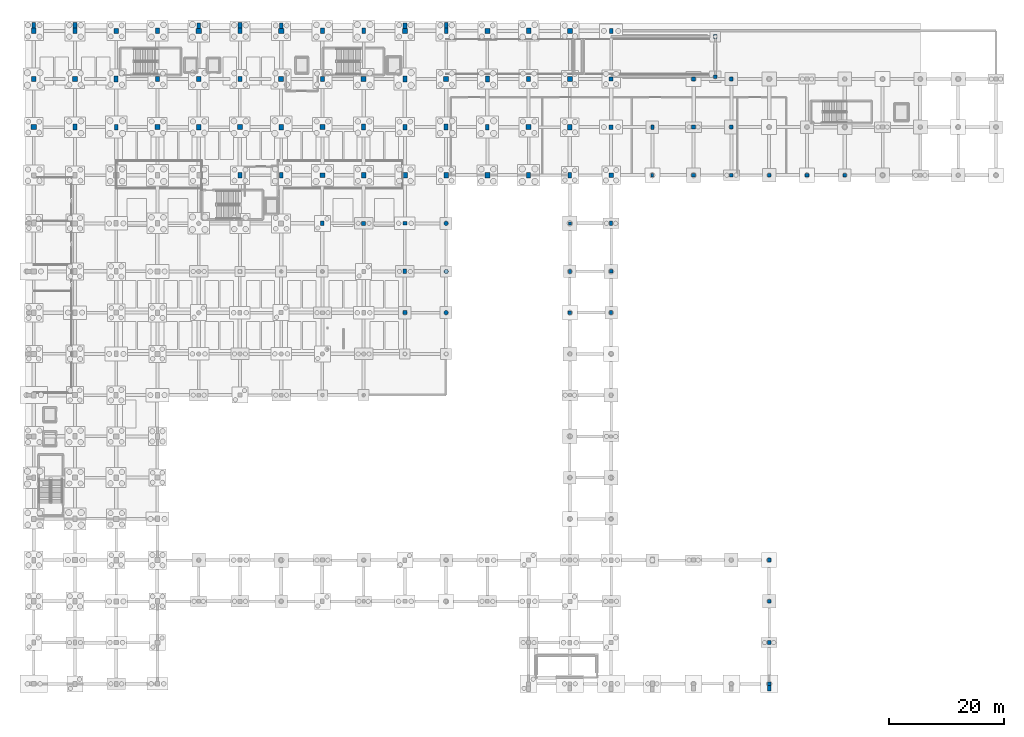
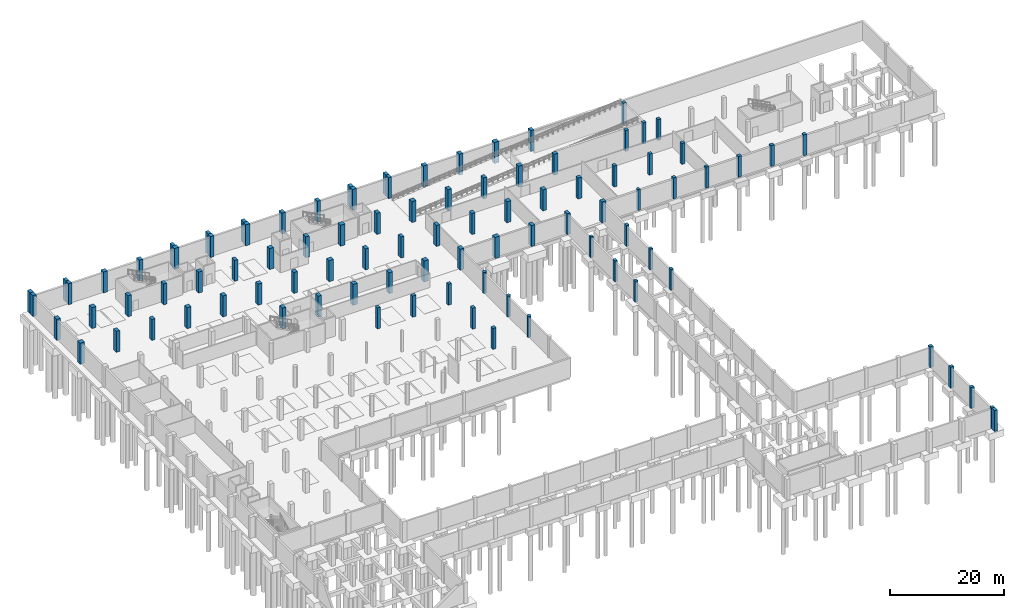
# One storey, part 18 of 35: 94 columns.
"""IFC4 building model written with IfcOpenShell, lengths in metres."""

import ifcopenshell
import ifcopenshell.guid

model = None  # the IFC model being written
_history = None  # IfcOwnerHistory: only IFC2X3 demands one
_inside = {}  # id of a spatial element -> (the spatial element, [elements in it])
_under = {}  # id of a project, library or spatial element -> (it, [spatial elements below it])
_declared = {}  # id of a project -> (the project, [libraries it declares])
_typed = {}  # id of a type object -> (the type object, [elements of that type])
_made_of = {}  # id of a material, layer set ... -> (it, [elements and type objects made of it])


def new_model(schema):
    """Start an empty IFC model of exactly this schema.

    Asked for "IFC4X3", IfcOpenShell would pick the latest addendum, in which some entities
    have other attributes; the version numbers below select the first issue.
    IFC2X3 requires an IfcOwnerHistory on every rooted entity: one is made here for all.
    """
    global model, _history
    if schema == "IFC4X3":
        model = ifcopenshell.file(schema_version=(4, 3, 0, 0))
    else:
        model = ifcopenshell.file(schema=schema)
    _inside.clear()
    _under.clear()
    _declared.clear()
    _typed.clear()
    _made_of.clear()
    _history = None
    if model.schema == "IFC2X3":
        org = make("IfcOrganization", Name="unknown")
        user = make(
            "IfcPersonAndOrganization",
            ThePerson=make("IfcPerson", FamilyName="unknown"),
            TheOrganization=org,
        )
        app = make(
            "IfcApplication",
            ApplicationDeveloper=org,
            Version="unknown",
            ApplicationFullName="unknown",
            ApplicationIdentifier="unknown",
        )
        _history = make(
            "IfcOwnerHistory",
            OwningUser=user,
            OwningApplication=app,
            ChangeAction="ADDED",
            CreationDate=0,
        )
    return model


def make(cls, **values):
    """One entity of the class cls with the attributes given. An attribute that is None is left unset."""
    return model.create_entity(
        cls, **{name: value for name, value in values.items() if value is not None}
    )


def rooted(cls, **values):
    """An entity with a GlobalId (a new one), such as an element, a storey or a relation."""
    return make(cls, GlobalId=ifcopenshell.guid.new(), OwnerHistory=_history, **values)


def si_unit(unit_type, name, prefix=None):
    """IfcSIUnit, for example si_unit("LENGTHUNIT", "METRE", prefix="MILLI")."""
    return make("IfcSIUnit", UnitType=unit_type, Prefix=prefix, Name=name)


def assignment(units):
    """IfcUnitAssignment: the units of a project."""
    return None if units is None else make("IfcUnitAssignment", Units=units)


def point(xyz):
    """IfcCartesianPoint."""
    return None if xyz is None else make("IfcCartesianPoint", Coordinates=xyz)


def direction(xyz):
    """IfcDirection."""
    return None if xyz is None else make("IfcDirection", DirectionRatios=xyz)


def frame(location, z_axis=None, x_axis=None):
    """IfcAxis2Placement3D, a coordinate frame: its origin and axes. An axis left out is left unset."""
    return make(
        "IfcAxis2Placement3D",
        Location=point(location),
        Axis=direction(z_axis),
        RefDirection=direction(x_axis),
    )


def frame_2d(location, x_axis=None):
    """IfcAxis2Placement2D, a coordinate frame in the plane: its origin and x axis."""
    return make(
        "IfcAxis2Placement2D", Location=point(location), RefDirection=direction(x_axis)
    )


def origin():
    """The frame at (0, 0, 0) with its axes left unset."""
    return frame((0.0, 0.0, 0.0))


def origin_2d():
    """The frame at (0, 0) in the plane with its x axis left unset."""
    return frame_2d((0.0, 0.0))


def place(relative_to, where):
    """IfcLocalPlacement: puts the frame where relative to a parent placement (None: the world)."""
    return make(
        "IfcLocalPlacement", PlacementRelTo=relative_to, RelativePlacement=where
    )


def context(
    kind, dimensions, precision=None, world=None, true_north=None, identifier=None
):
    """IfcGeometricRepresentationContext, for example the 3D "Model" context."""
    return make(
        "IfcGeometricRepresentationContext",
        ContextIdentifier=identifier,
        ContextType=kind,
        CoordinateSpaceDimension=dimensions,
        Precision=precision,
        WorldCoordinateSystem=world,
        TrueNorth=true_north,
    )


def subcontext(parent, identifier, kind, view, scale=None):
    """IfcGeometricRepresentationSubContext, for example "Body" below "Model"."""
    return make(
        "IfcGeometricRepresentationSubContext",
        ContextIdentifier=identifier,
        ContextType=kind,
        ParentContext=parent,
        TargetScale=scale,
        TargetView=view,
    )


def project(units=None, contexts=None):
    """IfcProject with its units and contexts."""
    return rooted(
        "IfcProject",
        Name="project",
        RepresentationContexts=contexts,
        UnitsInContext=assignment(units),
    )


def spatial(cls, under=None, at=None, **own):
    """A site, building, storey or space (cls), placed at a placement, below another one or the project."""
    s = rooted(cls, ObjectPlacement=at, **own)
    if under is not None:
        _under.setdefault(under.id(), (under, []))[1].append(s)
    return s


def profile(cls, at=None, kind="AREA", **sizes):
    """A parametric profile (cls). Its sizes go by their IFC names, for example OverallWidth=200.0."""
    return make(cls, ProfileType=kind, Position=at, **sizes)


def rectangle(**sizes):
    """IfcRectangleProfileDef."""
    return profile("IfcRectangleProfileDef", **sizes)


def circle(**sizes):
    """IfcCircleProfileDef."""
    return profile("IfcCircleProfileDef", **sizes)


def extrude(swept, where, along, depth):
    """IfcExtrudedAreaSolid: the profile swept, set in the frame where, extruded along a direction by depth."""
    return make(
        "IfcExtrudedAreaSolid",
        SweptArea=swept,
        Position=where,
        ExtrudedDirection=direction(along),
        Depth=depth,
    )


def shape(context_of_items, identifier, shape_type, items):
    """IfcShapeRepresentation: the items that make up one representation, for example the "Body"."""
    return make(
        "IfcShapeRepresentation",
        ContextOfItems=context_of_items,
        RepresentationIdentifier=identifier,
        RepresentationType=shape_type,
        Items=items,
    )


def material(Name=None, Category=None):
    """IfcMaterial."""
    return make("IfcMaterial", Name=Name, Category=Category)


def material_profile(
    of_material, cross_section, Name=None, Category=None, Priority=None
):
    """IfcMaterialProfile: a cross section and its material."""
    return make(
        "IfcMaterialProfile",
        Name=Name,
        Material=of_material,
        Profile=cross_section,
        Priority=Priority,
        Category=Category,
    )


def profile_set(profiles, Name=None, composite=None):
    """IfcMaterialProfileSet."""
    return make(
        "IfcMaterialProfileSet",
        Name=Name,
        MaterialProfiles=profiles,
        CompositeProfile=composite,
    )


def made_of(thing, what):
    """Note that an element or type object is made of a material, layer set ...; save() writes the relation."""
    if what is not None:
        _made_of.setdefault(what.id(), (what, []))[1].append(thing)
    return thing


def type_object(cls, material=None, **own):
    """A type object (cls), such as IfcWallType, which elements share."""
    return made_of(rooted(cls, **own), material)


def element(
    cls,
    number,
    at=None,
    inside=None,
    cuts=None,
    type_object=None,
    material=None,
    context=None,
    identifier="Body",
    shape_type=None,
    held_by="IfcProductDefinitionShape",
    body=None,
    shapes=None,
    **own,
):
    """One element of the class cls, such as IfcWall. Its Tag is "e" and its number.

    at: its placement. inside: the storey or other place that contains it. cuts: it is an
    opening in that element (IfcRelVoidsElement). A single representation is given by context,
    identifier, shape_type and body (its items); several are given by shapes. held_by: the class
    of the entity that holds the representations. save() writes the other relations.
    """
    e = rooted(cls, Tag="e%d" % number, ObjectPlacement=at, **own)
    if body is not None:
        shapes = [shape(context, identifier, shape_type, body)]
    if shapes is not None:
        e.Representation = make(held_by, Representations=shapes)
    if inside is not None:
        _inside.setdefault(inside.id(), (inside, []))[1].append(e)
    if cuts is not None:
        rooted(
            "IfcRelVoidsElement", RelatingBuildingElement=cuts, RelatedOpeningElement=e
        )
    if type_object is not None:
        _typed.setdefault(type_object.id(), (type_object, []))[1].append(e)
    return made_of(e, material)


def aggregate(whole, parts):
    """IfcRelAggregates: a whole, such as a stair, and the parts it consists of."""
    return rooted("IfcRelAggregates", RelatingObject=whole, RelatedObjects=parts)


def save(model, path):
    """Write the relations noted so far, then the file.

    IfcRelAggregates (storeys below a building ...), IfcRelContainedInSpatialStructure (elements
    in a storey), IfcRelDefinesByType, IfcRelAssociatesMaterial and IfcRelDeclares: one each for
    every whole, place, type object, material and project.
    """
    for whole, parts in _under.values():
        aggregate(whole, parts)
    for where, things in _inside.values():
        rooted(
            "IfcRelContainedInSpatialStructure",
            RelatedElements=things,
            RelatingStructure=where,
        )
    for kind, things in _typed.values():
        rooted("IfcRelDefinesByType", RelatedObjects=things, RelatingType=kind)
    for what, things in _made_of.values():
        rooted("IfcRelAssociatesMaterial", RelatedObjects=things, RelatingMaterial=what)
    for by, libraries in _declared.values():
        rooted("IfcRelDeclares", RelatingContext=by, RelatedDefinitions=libraries)
    model.write(path)


model = new_model("IFC4")

# Units and contexts
model_context = context("Model", 3, precision=1e-05, world=origin(), true_north=direction((0.0, 1.0)))
body_context = subcontext(model_context, "Body", "Model", "MODEL_VIEW")
ifc_project = project(units=[si_unit("LENGTHUNIT", "METRE"), si_unit("AREAUNIT", "SQUARE_METRE"), si_unit("VOLUMEUNIT", "CUBIC_METRE"), si_unit("PLANEANGLEUNIT", "RADIAN"), si_unit("MASSUNIT", "GRAM", prefix="KILO")], contexts=[model_context])

# Site, building, storey
site_placement = place(None, origin())
site = spatial("IfcSite", under=ifc_project, at=site_placement, CompositionType="ELEMENT")
building_placement = place(site_placement, origin())
building = spatial("IfcBuilding", under=site, at=building_placement, Name="Kalluvel Institute of Natural Sciences", CompositionType="ELEMENT")
storey_placement = place(building_placement, frame((0.0, 0.0, -4.5)))
storey = spatial("IfcBuildingStorey", under=building, at=storey_placement, Name="B1", CompositionType="ELEMENT", Elevation=-4.5)

# Columns
ifc_material_1 = material(Name="Concrete M40", Category="concrete")
ifc_material_profile_1 = material_profile(ifc_material_1, rectangle(XDim=0.449951171875, YDim=0.60009765625, at=origin_2d()), Name="RC 450x600")
ifc_profile_set_1 = profile_set([ifc_material_profile_1], Name="Concrete M40")
column_type_1 = type_object("IfcColumnType", Name="COL-RC450x600", PredefinedType="COLUMN", material=ifc_profile_set_1)
column_1_placement = place(storey_placement, frame((122.0, 102.800048828125, 0.0), z_axis=(0.0, 0.0, 1.0), x_axis=(1.0, 0.0, 0.0)))
element("IfcColumn", 1, at=column_1_placement, inside=storey, type_object=column_type_1, Name="B1 structural column COL-B1-X1220-Y1028", PredefinedType="COLUMN", context=body_context, shape_type="SweptSolid", body=[
    extrude(rectangle(XDim=0.449951171875, YDim=0.60009765625, at=origin_2d()), origin(), (0.0, 0.0, 1.0), 4.5),
])
ifc_material_profile_2 = material_profile(ifc_material_1, rectangle(XDim=0.5, YDim=0.699951171875, at=origin_2d()), Name="RC 500x700")
ifc_profile_set_2 = profile_set([ifc_material_profile_2], Name="Concrete M40")
column_type_2 = type_object("IfcColumnType", Name="COL-RC500x700", PredefinedType="COLUMN", material=ifc_profile_set_2)
column_2_placement = place(storey_placement, frame((114.800048828125, 78.800048828125, 0.0), z_axis=(0.0, 0.0, 1.0), x_axis=(1.0, 0.0, 0.0)))
element("IfcColumn", 2, at=column_2_placement, inside=storey, type_object=column_type_2, Name="B1 structural column COL-B1-X1148-Y788", PredefinedType="COLUMN", context=body_context, shape_type="SweptSolid", body=[
    extrude(rectangle(XDim=0.5, YDim=0.699951171875, at=origin_2d()), origin(), (0.0, 0.0, 1.0), 4.5),
])
ifc_material_profile_3 = material_profile(ifc_material_1, rectangle(XDim=0.550048828125, YDim=0.550048828125, at=origin_2d()), Name="RC 550x550")
ifc_profile_set_3 = profile_set([ifc_material_profile_3], Name="Concrete M40")
column_type_3 = type_object("IfcColumnType", Name="COL-RC550", PredefinedType="COLUMN", material=ifc_profile_set_3)
column_3_placement = place(storey_placement, frame((107.60009765625, 94.39990234375, 0.0), z_axis=(0.0, 0.0, 1.0), x_axis=(1.0, 0.0, 0.0)))
element("IfcColumn", 3, at=column_3_placement, inside=storey, type_object=column_type_3, Name="B1 structural column COL-B1-X1076-Y944", PredefinedType="COLUMN", context=body_context, shape_type="SweptSolid", body=[
    extrude(rectangle(XDim=0.550048828125, YDim=0.550048828125, at=origin_2d()), origin(), (0.0, 0.0, 1.0), 4.5),
])
ifc_material_profile_4 = material_profile(ifc_material_1, rectangle(XDim=0.550048828125, YDim=0.75, at=origin_2d()), Name="RC 550x750")
ifc_profile_set_4 = profile_set([ifc_material_profile_4], Name="Concrete M40")
column_type_4 = type_object("IfcColumnType", Name="COL-RC550x750", PredefinedType="COLUMN", material=ifc_profile_set_4)
for number, where, z_axis, x_axis, name in (
    (4, (107.60009765625, 86.0, 0.0), (0.0, 0.0, 1.0), (1.0, 0.0, 0.0), "B1 structural column COL-B1-X1076-Y860"),
    (5, (114.800048828125, 94.39990234375, 0.0), (0.0, 0.0, 1.0), (1.0, 0.0, 0.0), "B1 structural column COL-B1-X1148-Y944"),
    (6, (122.0, 111.199951171875, 0.0), (0.0, 0.0, 1.0), (1.0, 0.0, 0.0), "B1 structural column COL-B1-X1220-Y1112"),
):
    element("IfcColumn", number, at=place(storey_placement, frame(where, z_axis=z_axis, x_axis=x_axis)), inside=storey, type_object=column_type_4, Name=name, PredefinedType="COLUMN", context=body_context, shape_type="SweptSolid", body=[
        extrude(rectangle(XDim=0.550048828125, YDim=0.75, at=origin_2d()), origin(), (0.0, 0.0, 1.0), 4.5),
    ])
ifc_material_profile_5 = material_profile(ifc_material_1, rectangle(XDim=0.60009765625, YDim=0.60009765625, at=origin_2d()), Name="RC 600x600")
ifc_profile_set_5 = profile_set([ifc_material_profile_5], Name="Concrete M40")
column_type_5 = type_object("IfcColumnType", Name="COL-RC600", PredefinedType="COLUMN", material=ifc_profile_set_5)
for number, where, z_axis, x_axis, name in (
    (7, (107.60009765625, 78.800048828125, 0.0), (0.0, 0.0, 1.0), (1.0, 0.0, 0.0), "B1 structural column COL-B1-X1076-Y788"),
    (8, (114.800048828125, 86.0, 0.0), (0.0, 0.0, 1.0), (1.0, 0.0, 0.0), "B1 structural column COL-B1-X1148-Y860"),
):
    element("IfcColumn", number, at=place(storey_placement, frame(where, z_axis=z_axis, x_axis=x_axis)), inside=storey, type_object=column_type_5, Name=name, PredefinedType="COLUMN", context=body_context, shape_type="SweptSolid", body=[
        extrude(rectangle(XDim=0.60009765625, YDim=0.60009765625, at=origin_2d()), origin(), (0.0, 0.0, 1.0), 4.5),
    ])
ifc_material_2 = material(Name="Concrete M50", Category="concrete")
ifc_material_profile_6 = material_profile(ifc_material_2, rectangle(XDim=0.60009765625, YDim=0.800048828125, at=origin_2d()), Name="RC 600x800")
ifc_profile_set_6 = profile_set([ifc_material_profile_6], Name="Concrete M50")
column_type_6 = type_object("IfcColumnType", Name="COL-RC600x800", PredefinedType="COLUMN", material=ifc_profile_set_6)
for number, where, z_axis, x_axis, name in (
    (9, (64.39990234375, 94.39990234375, 0.0), (0.0, 0.0, 1.0), (1.0, 0.0, 0.0), "B1 structural column COL-B1-X644-Y944"),
    (10, (78.800048828125, 86.0, 0.0), (0.0, 0.0, 1.0), (1.0, 0.0, 0.0), "B1 structural column COL-B1-X788-Y860"),
):
    element("IfcColumn", number, at=place(storey_placement, frame(where, z_axis=z_axis, x_axis=x_axis)), inside=storey, type_object=column_type_6, Name=name, PredefinedType="COLUMN", context=body_context, shape_type="SweptSolid", body=[
        extrude(rectangle(XDim=0.60009765625, YDim=0.800048828125, at=origin_2d()), origin(), (0.0, 0.0, 1.0), 4.5),
    ])
ifc_material_profile_7 = material_profile(ifc_material_2, rectangle(XDim=0.60009765625, YDim=0.89990234375, at=origin_2d()), Name="RC 600x900")
ifc_profile_set_7 = profile_set([ifc_material_profile_7], Name="Concrete M50")
column_type_7 = type_object("IfcColumnType", Name="COL-RC600x900", PredefinedType="COLUMN", material=ifc_profile_set_7)
column_4_placement = place(storey_placement, frame((114.800048828125, 128.0, 0.0), z_axis=(0.0, 0.0, 1.0), x_axis=(1.0, 0.0, 0.0)))
element("IfcColumn", 11, at=column_4_placement, inside=storey, type_object=column_type_7, Name="B1 structural column COL-B1-X1148-Y1280", PredefinedType="COLUMN", context=body_context, shape_type="SweptSolid", body=[
    extrude(rectangle(XDim=0.60009765625, YDim=0.89990234375, at=origin_2d()), origin(), (0.0, 0.0, 1.0), 4.5),
])
ifc_material_profile_8 = material_profile(ifc_material_1, rectangle(XDim=0.64990234375, YDim=0.64990234375, at=origin_2d()), Name="RC 650x650")
ifc_profile_set_8 = profile_set([ifc_material_profile_8], Name="Concrete M40")
column_type_8 = type_object("IfcColumnType", Name="COL-RC650", PredefinedType="COLUMN", material=ifc_profile_set_8)
for number, where, z_axis, x_axis, name in (
    (12, (78.800048828125, 94.39990234375, 0.0), (0.0, 0.0, 1.0), (1.0, 0.0, 0.0), "B1 structural column COL-B1-X788-Y944"),
    (13, (129.199951171875, 102.800048828125, 0.0), (0.0, 0.0, 1.0), (1.0, 0.0, 0.0), "B1 structural column COL-B1-X1292-Y1028"),
    (14, (129.199951171875, 111.199951171875, 0.0), (0.0, 0.0, 1.0), (1.0, 0.0, 0.0), "B1 structural column COL-B1-X1292-Y1112"),
    (15, (129.199951171875, 119.60009765625, 0.0), (0.0, 0.0, 1.0), (1.0, 0.0, 0.0), "B1 structural column COL-B1-X1292-Y1196"),
    (16, (133.0, 120.0, 0.0), (0.0, 0.0, 1.0), (1.0, 0.0, 0.0), "B1 structural column COL-B1-X1330-Y1200"),
    (17, (133.0, 127.0, 0.0), (0.0, 0.0, 1.0), (1.0, 0.0, 0.0), "B1 structural column COL-B1-X1330-Y1270"),
    (18, (135.800048828125, 102.800048828125, 0.0), (0.0, 0.0, 1.0), (1.0, 0.0, 0.0), "B1 structural column COL-B1-X1358-Y1028"),
    (19, (135.800048828125, 111.199951171875, 0.0), (0.0, 0.0, 1.0), (1.0, 0.0, 0.0), "B1 structural column COL-B1-X1358-Y1112"),
    (20, (135.800048828125, 119.60009765625, 0.0), (0.0, 0.0, 1.0), (1.0, 0.0, 0.0), "B1 structural column COL-B1-X1358-Y1196"),
    (21, (142.39990234375, 14.0, 0.0), (0.0, 0.0, 1.0), (1.0, 0.0, 0.0), "B1 structural column COL-B1-X1424-Y140"),
    (22, (142.39990234375, 21.199951171875, 0.0), (0.0, 0.0, 1.0), (1.0, 0.0, 0.0), "B1 structural column COL-B1-X1424-Y212"),
    (23, (142.39990234375, 28.39990234375, 0.0), (0.0, 0.0, 1.0), (1.0, 0.0, 0.0), "B1 structural column COL-B1-X1424-Y284"),
    (24, (142.39990234375, 35.60009765625, 0.0), (0.0, 0.0, 1.0), (1.0, 0.0, 0.0), "B1 structural column COL-B1-X1424-Y356"),
    (25, (142.39990234375, 102.800048828125, 0.0), (0.0, 0.0, 1.0), (1.0, 0.0, 0.0), "B1 structural column COL-B1-X1424-Y1028"),
    (26, (149.0, 102.800048828125, 0.0), (0.0, 0.0, 1.0), (1.0, 0.0, 0.0), "B1 structural column COL-B1-X1490-Y1028"),
    (27, (155.60009765625, 102.800048828125, 0.0), (0.0, 0.0, 1.0), (1.0, 0.0, 0.0), "B1 structural column COL-B1-X1556-Y1028"),
):
    element("IfcColumn", number, at=place(storey_placement, frame(where, z_axis=z_axis, x_axis=x_axis)), inside=storey, type_object=column_type_8, Name=name, PredefinedType="COLUMN", context=body_context, shape_type="SweptSolid", body=[
        extrude(rectangle(XDim=0.64990234375, YDim=0.64990234375, at=origin_2d()), origin(), (0.0, 0.0, 1.0), 4.5),
    ])
ifc_material_profile_9 = material_profile(ifc_material_2, rectangle(XDim=0.64990234375, YDim=0.949951171875, at=origin_2d()), Name="RC 650x950")
ifc_profile_set_9 = profile_set([ifc_material_profile_9], Name="Concrete M50")
column_type_9 = type_object("IfcColumnType", Name="COL-RC650x950", PredefinedType="COLUMN", material=ifc_profile_set_9)
for number, where, z_axis, x_axis, name in (
    (28, (21.199951171875, 128.0, 0.0), (0.0, 0.0, 1.0), (1.0, 0.0, 0.0), "B1 structural column COL-B1-X212-Y1280"),
    (29, (28.39990234375, 111.199951171875, 0.0), (0.0, 0.0, 1.0), (1.0, 0.0, 0.0), "B1 structural column COL-B1-X284-Y1112"),
    (30, (35.60009765625, 119.60009765625, 0.0), (0.0, 0.0, 1.0), (1.0, 0.0, 0.0), "B1 structural column COL-B1-X356-Y1196"),
    (31, (50.0, 119.60009765625, 0.0), (0.0, 0.0, 1.0), (1.0, 0.0, 0.0), "B1 structural column COL-B1-X500-Y1196"),
    (32, (57.199951171875, 102.800048828125, 0.0), (0.0, 0.0, 1.0), (1.0, 0.0, 0.0), "B1 structural column COL-B1-X572-Y1028"),
    (33, (71.60009765625, 128.0, 0.0), (0.0, 0.0, 1.0), (1.0, 0.0, 0.0), "B1 structural column COL-B1-X716-Y1280"),
    (34, (78.800048828125, 111.199951171875, 0.0), (0.0, 0.0, 1.0), (1.0, 0.0, 0.0), "B1 structural column COL-B1-X788-Y1112"),
    (35, (86.0, 128.0, 0.0), (0.0, 0.0, 1.0), (1.0, 0.0, 0.0), "B1 structural column COL-B1-X860-Y1280"),
    (36, (93.199951171875, 111.199951171875, 0.0), (0.0, 0.0, 1.0), (1.0, 0.0, 0.0), "B1 structural column COL-B1-X932-Y1112"),
    (37, (100.39990234375, 119.60009765625, 0.0), (0.0, 0.0, 1.0), (1.0, 0.0, 0.0), "B1 structural column COL-B1-X1004-Y1196"),
    (38, (107.60009765625, 102.800048828125, 0.0), (0.0, 0.0, 1.0), (1.0, 0.0, 0.0), "B1 structural column COL-B1-X1076-Y1028"),
    (39, (14.0, 128.97802734375, 0.0), (0.0, 0.0, 1.0), (1.0, 0.0, 0.0), "B1 Gothic stepped Sadarahalli granite buttress 1"),
    (40, (21.199951171875, 128.952880859375, 0.0), (0.0, 0.0, 1.0), (1.0, 0.0, 0.0), "B1 Gothic stepped Sadarahalli granite buttress 11"),
    (41, (42.800048828125, 128.927978515625, 0.0), (0.0, 0.0, 1.0), (1.0, 0.0, 0.0), "B1 Gothic stepped Sadarahalli granite buttress 21"),
    (42, (50.0, 128.952880859375, 0.0), (0.0, 0.0, 1.0), (1.0, 0.0, 0.0), "B1 Gothic stepped Sadarahalli granite buttress 31"),
    (43, (57.199951171875, 128.927978515625, 0.0), (0.0, 0.0, 1.0), (1.0, 0.0, 0.0), "B1 Gothic stepped Sadarahalli granite buttress 41"),
    (44, (78.800048828125, 128.903076171875, 0.0), (0.0, 0.0, 1.0), (1.0, 0.0, 0.0), "B1 Gothic stepped Sadarahalli granite buttress 51"),
    (45, (86.0, 128.952880859375, 0.0), (0.0, 0.0, 1.0), (1.0, 0.0, 0.0), "B1 Gothic stepped Sadarahalli granite buttress 61"),
    (46, (142.39990234375, 13.197021484375, 0.0), (0.0, 0.0, 1.0), (1.0, 0.0, 0.0), "B1 Lecture and Commons Gothic stone buttress 157"),
):
    element("IfcColumn", number, at=place(storey_placement, frame(where, z_axis=z_axis, x_axis=x_axis)), inside=storey, type_object=column_type_9, Name=name, PredefinedType="COLUMN", context=body_context, shape_type="SweptSolid", body=[
        extrude(rectangle(XDim=0.64990234375, YDim=0.949951171875, at=origin_2d()), origin(), (0.0, 0.0, 1.0), 4.5),
    ])
ifc_material_profile_10 = material_profile(ifc_material_1, rectangle(XDim=0.699951171875, YDim=0.699951171875, at=origin_2d()), Name="RC 700x700")
ifc_profile_set_10 = profile_set([ifc_material_profile_10], Name="Concrete M40")
column_type_10 = type_object("IfcColumnType", Name="COL-RC700", PredefinedType="COLUMN", material=ifc_profile_set_10)
for number, where, z_axis, x_axis, name in (
    (47, (71.60009765625, 94.39990234375, 0.0), (0.0, 0.0, 1.0), (1.0, 0.0, 0.0), "B1 structural column COL-B1-X716-Y944"),
    (48, (78.800048828125, 78.800048828125, 0.0), (0.0, 0.0, 1.0), (1.0, 0.0, 0.0), "B1 structural column COL-B1-X788-Y788"),
):
    element("IfcColumn", number, at=place(storey_placement, frame(where, z_axis=z_axis, x_axis=x_axis)), inside=storey, type_object=column_type_10, Name=name, PredefinedType="COLUMN", context=body_context, shape_type="SweptSolid", body=[
        extrude(rectangle(XDim=0.699951171875, YDim=0.699951171875, at=origin_2d()), origin(), (0.0, 0.0, 1.0), 4.5),
    ])
ifc_material_profile_11 = material_profile(ifc_material_2, rectangle(XDim=0.699951171875, YDim=1.0, at=origin_2d()), Name="RC 700x1000")
ifc_profile_set_11 = profile_set([ifc_material_profile_11], Name="Concrete M50")
column_type_11 = type_object("IfcColumnType", Name="COL-RC700x1000", PredefinedType="COLUMN", material=ifc_profile_set_11)
for number, where, z_axis, x_axis, name in (
    (49, (14.0, 128.0, 0.0), (0.0, 0.0, 1.0), (1.0, 0.0, 0.0), "B1 structural column COL-B1-X140-Y1280"),
    (50, (21.199951171875, 111.199951171875, 0.0), (0.0, 0.0, 1.0), (1.0, 0.0, 0.0), "B1 structural column COL-B1-X212-Y1112"),
    (51, (28.39990234375, 119.60009765625, 0.0), (0.0, 0.0, 1.0), (1.0, 0.0, 0.0), "B1 structural column COL-B1-X284-Y1196"),
    (52, (50.0, 102.800048828125, 0.0), (0.0, 0.0, 1.0), (1.0, 0.0, 0.0), "B1 structural column COL-B1-X500-Y1028"),
    (53, (64.39990234375, 128.0, 0.0), (0.0, 0.0, 1.0), (1.0, 0.0, 0.0), "B1 structural column COL-B1-X644-Y1280"),
    (54, (71.60009765625, 111.199951171875, 0.0), (0.0, 0.0, 1.0), (1.0, 0.0, 0.0), "B1 structural column COL-B1-X716-Y1112"),
    (55, (78.800048828125, 119.60009765625, 0.0), (0.0, 0.0, 1.0), (1.0, 0.0, 0.0), "B1 structural column COL-B1-X788-Y1196"),
    (56, (86.0, 111.199951171875, 0.0), (0.0, 0.0, 1.0), (1.0, 0.0, 0.0), "B1 structural column COL-B1-X860-Y1112"),
    (57, (93.199951171875, 119.60009765625, 0.0), (0.0, 0.0, 1.0), (1.0, 0.0, 0.0), "B1 structural column COL-B1-X932-Y1196"),
    (58, (100.39990234375, 102.800048828125, 0.0), (0.0, 0.0, 1.0), (1.0, 0.0, 0.0), "B1 structural column COL-B1-X1004-Y1028"),
):
    element("IfcColumn", number, at=place(storey_placement, frame(where, z_axis=z_axis, x_axis=x_axis)), inside=storey, type_object=column_type_11, Name=name, PredefinedType="COLUMN", context=body_context, shape_type="SweptSolid", body=[
        extrude(rectangle(XDim=0.699951171875, YDim=1.0, at=origin_2d()), origin(), (0.0, 0.0, 1.0), 4.5),
    ])
ifc_material_profile_12 = material_profile(ifc_material_2, rectangle(XDim=0.75, YDim=0.75, at=origin_2d()), Name="RC 750x750")
ifc_profile_set_12 = profile_set([ifc_material_profile_12], Name="Concrete M50")
column_type_12 = type_object("IfcColumnType", Name="COL-RC750", PredefinedType="COLUMN", material=ifc_profile_set_12)
for number, where, z_axis, x_axis, name in (
    (59, (114.800048828125, 111.199951171875, 0.0), (0.0, 0.0, 1.0), (1.0, 0.0, 0.0), "B1 structural column COL-B1-X1148-Y1112"),
    (60, (114.800048828125, 119.60009765625, 0.0), (0.0, 0.0, 1.0), (1.0, 0.0, 0.0), "B1 structural column COL-B1-X1148-Y1196"),
):
    element("IfcColumn", number, at=place(storey_placement, frame(where, z_axis=z_axis, x_axis=x_axis)), inside=storey, type_object=column_type_12, Name=name, PredefinedType="COLUMN", context=body_context, shape_type="SweptSolid", body=[
        extrude(rectangle(XDim=0.75, YDim=0.75, at=origin_2d()), origin(), (0.0, 0.0, 1.0), 4.5),
    ])
ifc_material_profile_13 = material_profile(ifc_material_2, rectangle(XDim=0.75, YDim=0.949951171875, at=origin_2d()), Name="RC 750x950")
ifc_profile_set_13 = profile_set([ifc_material_profile_13], Name="Concrete M50")
column_type_13 = type_object("IfcColumnType", Name="COL-RC750x950", PredefinedType="COLUMN", material=ifc_profile_set_13)
for number, where, z_axis, x_axis, name in (
    (61, (14.0, 119.60009765625, 0.0), (0.0, 0.0, 1.0), (1.0, 0.0, 0.0), "B1 structural column COL-B1-X140-Y1196"),
    (62, (35.60009765625, 128.0, 0.0), (0.0, 0.0, 1.0), (1.0, 0.0, 0.0), "B1 structural column COL-B1-X356-Y1280"),
    (63, (42.800048828125, 111.199951171875, 0.0), (0.0, 0.0, 1.0), (1.0, 0.0, 0.0), "B1 structural column COL-B1-X428-Y1112"),
    (64, (50.0, 128.0, 0.0), (0.0, 0.0, 1.0), (1.0, 0.0, 0.0), "B1 structural column COL-B1-X500-Y1280"),
    (65, (57.199951171875, 111.199951171875, 0.0), (0.0, 0.0, 1.0), (1.0, 0.0, 0.0), "B1 structural column COL-B1-X572-Y1112"),
    (66, (64.39990234375, 119.60009765625, 0.0), (0.0, 0.0, 1.0), (1.0, 0.0, 0.0), "B1 structural column COL-B1-X644-Y1196"),
    (67, (71.60009765625, 102.800048828125, 0.0), (0.0, 0.0, 1.0), (1.0, 0.0, 0.0), "B1 structural column COL-B1-X716-Y1028"),
    (68, (86.0, 102.800048828125, 0.0), (0.0, 0.0, 1.0), (1.0, 0.0, 0.0), "B1 structural column COL-B1-X860-Y1028"),
    (69, (100.39990234375, 128.0, 0.0), (0.0, 0.0, 1.0), (1.0, 0.0, 0.0), "B1 structural column COL-B1-X1004-Y1280"),
    (70, (107.60009765625, 111.199951171875, 0.0), (0.0, 0.0, 1.0), (1.0, 0.0, 0.0), "B1 structural column COL-B1-X1076-Y1112"),
):
    element("IfcColumn", number, at=place(storey_placement, frame(where, z_axis=z_axis, x_axis=x_axis)), inside=storey, type_object=column_type_13, Name=name, PredefinedType="COLUMN", context=body_context, shape_type="SweptSolid", body=[
        extrude(rectangle(XDim=0.75, YDim=0.949951171875, at=origin_2d()), origin(), (0.0, 0.0, 1.0), 4.5),
    ])
ifc_material_profile_14 = material_profile(ifc_material_2, rectangle(XDim=0.800048828125, YDim=0.800048828125, at=origin_2d()), Name="RC 800x800")
ifc_profile_set_14 = profile_set([ifc_material_profile_14], Name="Concrete M50")
column_type_14 = type_object("IfcColumnType", Name="COL-RC800", PredefinedType="COLUMN", material=ifc_profile_set_14)
column_5_placement = place(storey_placement, frame((114.800048828125, 102.800048828125, 0.0), z_axis=(0.0, 0.0, 1.0), x_axis=(1.0, 0.0, 0.0)))
element("IfcColumn", 71, at=column_5_placement, inside=storey, type_object=column_type_14, Name="B1 structural column COL-B1-X1148-Y1028", PredefinedType="COLUMN", context=body_context, shape_type="SweptSolid", body=[
    extrude(rectangle(XDim=0.800048828125, YDim=0.800048828125, at=origin_2d()), origin(), (0.0, 0.0, 1.0), 4.5),
])
ifc_material_profile_15 = material_profile(ifc_material_2, rectangle(XDim=0.85009765625, YDim=0.85009765625, at=origin_2d()), Name="RC 850x850")
ifc_profile_set_15 = profile_set([ifc_material_profile_15], Name="Concrete M50")
column_type_15 = type_object("IfcColumnType", Name="COL-RC850", PredefinedType="COLUMN", material=ifc_profile_set_15)
for number, where, z_axis, x_axis, name in (
    (72, (28.39990234375, 128.0, 0.0), (0.0, 0.0, 1.0), (1.0, 0.0, 0.0), "B1 structural column COL-B1-X284-Y1280"),
    (73, (35.60009765625, 111.199951171875, 0.0), (0.0, 0.0, 1.0), (1.0, 0.0, 0.0), "B1 structural column COL-B1-X356-Y1112"),
    (74, (42.800048828125, 119.60009765625, 0.0), (0.0, 0.0, 1.0), (1.0, 0.0, 0.0), "B1 structural column COL-B1-X428-Y1196"),
    (75, (50.0, 111.199951171875, 0.0), (0.0, 0.0, 1.0), (1.0, 0.0, 0.0), "B1 structural column COL-B1-X500-Y1112"),
    (76, (57.199951171875, 119.60009765625, 0.0), (0.0, 0.0, 1.0), (1.0, 0.0, 0.0), "B1 structural column COL-B1-X572-Y1196"),
    (77, (64.39990234375, 102.800048828125, 0.0), (0.0, 0.0, 1.0), (1.0, 0.0, 0.0), "B1 structural column COL-B1-X644-Y1028"),
    (78, (78.800048828125, 128.0, 0.0), (0.0, 0.0, 1.0), (1.0, 0.0, 0.0), "B1 structural column COL-B1-X788-Y1280"),
    (79, (93.199951171875, 128.0, 0.0), (0.0, 0.0, 1.0), (1.0, 0.0, 0.0), "B1 structural column COL-B1-X932-Y1280"),
    (80, (100.39990234375, 111.199951171875, 0.0), (0.0, 0.0, 1.0), (1.0, 0.0, 0.0), "B1 structural column COL-B1-X1004-Y1112"),
    (81, (107.60009765625, 119.60009765625, 0.0), (0.0, 0.0, 1.0), (1.0, 0.0, 0.0), "B1 structural column COL-B1-X1076-Y1196"),
):
    element("IfcColumn", number, at=place(storey_placement, frame(where, z_axis=z_axis, x_axis=x_axis)), inside=storey, type_object=column_type_15, Name=name, PredefinedType="COLUMN", context=body_context, shape_type="SweptSolid", body=[
        extrude(rectangle(XDim=0.85009765625, YDim=0.85009765625, at=origin_2d()), origin(), (0.0, 0.0, 1.0), 4.5),
    ])
ifc_material_profile_16 = material_profile(ifc_material_2, rectangle(XDim=0.89990234375, YDim=0.89990234375, at=origin_2d()), Name="RC 900x900")
ifc_profile_set_16 = profile_set([ifc_material_profile_16], Name="Concrete M50")
column_type_16 = type_object("IfcColumnType", Name="COL-RC900", PredefinedType="COLUMN", material=ifc_profile_set_16)
for number, where, z_axis, x_axis, name in (
    (82, (14.0, 111.199951171875, 0.0), (0.0, 0.0, 1.0), (1.0, 0.0, 0.0), "B1 structural column COL-B1-X140-Y1112"),
    (83, (21.199951171875, 119.60009765625, 0.0), (0.0, 0.0, 1.0), (1.0, 0.0, 0.0), "B1 structural column COL-B1-X212-Y1196"),
    (84, (42.800048828125, 128.0, 0.0), (0.0, 0.0, 1.0), (1.0, 0.0, 0.0), "B1 structural column COL-B1-X428-Y1280"),
    (85, (57.199951171875, 128.0, 0.0), (0.0, 0.0, 1.0), (1.0, 0.0, 0.0), "B1 structural column COL-B1-X572-Y1280"),
    (86, (64.39990234375, 111.199951171875, 0.0), (0.0, 0.0, 1.0), (1.0, 0.0, 0.0), "B1 structural column COL-B1-X644-Y1112"),
    (87, (71.60009765625, 119.60009765625, 0.0), (0.0, 0.0, 1.0), (1.0, 0.0, 0.0), "B1 structural column COL-B1-X716-Y1196"),
    (88, (78.800048828125, 102.800048828125, 0.0), (0.0, 0.0, 1.0), (1.0, 0.0, 0.0), "B1 structural column COL-B1-X788-Y1028"),
    (89, (86.0, 119.60009765625, 0.0), (0.0, 0.0, 1.0), (1.0, 0.0, 0.0), "B1 structural column COL-B1-X860-Y1196"),
    (90, (93.199951171875, 102.800048828125, 0.0), (0.0, 0.0, 1.0), (1.0, 0.0, 0.0), "B1 structural column COL-B1-X932-Y1028"),
    (91, (107.60009765625, 128.0, 0.0), (0.0, 0.0, 1.0), (1.0, 0.0, 0.0), "B1 structural column COL-B1-X1076-Y1280"),
):
    element("IfcColumn", number, at=place(storey_placement, frame(where, z_axis=z_axis, x_axis=x_axis)), inside=storey, type_object=column_type_16, Name=name, PredefinedType="COLUMN", context=body_context, shape_type="SweptSolid", body=[
        extrude(rectangle(XDim=0.89990234375, YDim=0.89990234375, at=origin_2d()), origin(), (0.0, 0.0, 1.0), 4.5),
    ])
ifc_material_profile_17 = material_profile(ifc_material_2, circle(Radius=0.375, at=origin_2d()), Name="RCCOL D750")
ifc_profile_set_17 = profile_set([ifc_material_profile_17], Name="Concrete M50")
column_type_17 = type_object("IfcColumnType", Name="COL-RCD750", PredefinedType="COLUMN", material=ifc_profile_set_17)
for number, where, z_axis, x_axis, name in (
    (92, (86.0, 78.800048828125, 0.0), (0.0, 0.0, 1.0), (1.0, 0.0, 0.0), "B1 structural column COL-B1-X860-Y788"),
    (93, (86.0, 86.0, 0.0), (0.0, 0.0, 1.0), (1.0, 0.0, 0.0), "B1 structural column COL-B1-X860-Y860"),
    (94, (86.0, 94.39990234375, 0.0), (0.0, 0.0, 1.0), (1.0, 0.0, 0.0), "B1 structural column COL-B1-X860-Y944"),
):
    element("IfcColumn", number, at=place(storey_placement, frame(where, z_axis=z_axis, x_axis=x_axis)), inside=storey, type_object=column_type_17, Name=name, PredefinedType="COLUMN", context=body_context, shape_type="SweptSolid", body=[
        extrude(circle(Radius=0.375, at=origin_2d()), origin(), (0.0, 0.0, 1.0), 4.5),
    ])

save(model, "model.ifc")
